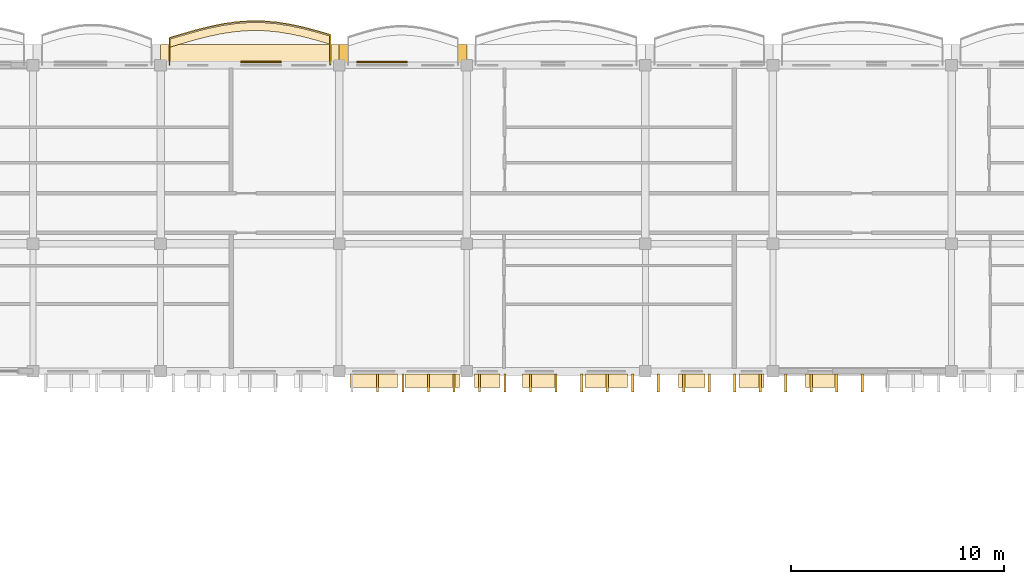
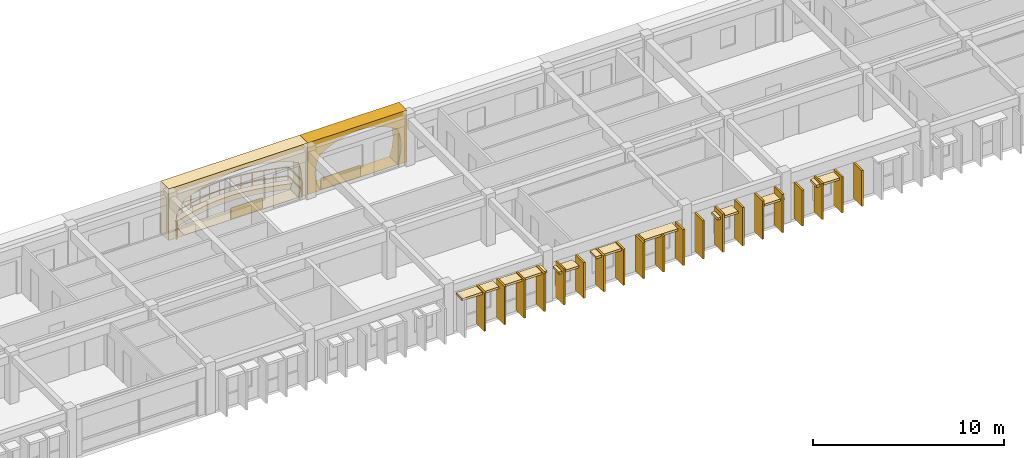
# One storey, part 48 of 54: 33 coverings, 1 railing.
"""IFC4 building model written with IfcOpenShell, lengths in metres."""

from ifc_helpers import new_model, si_unit, direction, frame, origin, origin_2d, place, context, subcontext, project, spatial, polyline, rectangle, outline, extrude, material, layer, layer_set, type_object, element, save


model = new_model("IFC4")

# Units and contexts
model_context = context("Model", 3, precision=1e-05, world=origin(), true_north=direction((0.0, 1.0)))
body_context = subcontext(model_context, "Body", "Model", "MODEL_VIEW")
ifc_project = project(units=[si_unit("LENGTHUNIT", "METRE"), si_unit("AREAUNIT", "SQUARE_METRE"), si_unit("VOLUMEUNIT", "CUBIC_METRE"), si_unit("PLANEANGLEUNIT", "RADIAN"), si_unit("MASSUNIT", "GRAM", prefix="KILO"), si_unit("THERMODYNAMICTEMPERATUREUNIT", "KELVIN")], contexts=[model_context])

# Site, building, storey
site_placement = place(None, origin())
site = spatial("IfcSite", under=ifc_project, at=site_placement, CompositionType="ELEMENT")
building_placement = place(site_placement, origin())
building = spatial("IfcBuilding", under=site, at=building_placement, Name="Thalorik Housing Commons", CompositionType="ELEMENT")
storey_placement = place(building_placement, frame((0.0, 0.0, 31.199951171875)))
storey = spatial("IfcBuildingStorey", under=building, at=storey_placement, Name="L09", CompositionType="ELEMENT", Elevation=31.199951171875)

# Coverings
ifc_material_1 = material(Name="Precast concrete C40/50", Category="concrete")
ifc_layer_1 = layer(ifc_material_1, 0.85009765625, Name="Precast concrete C40/50", Category="concrete")
ifc_layer_set_1 = layer_set([ifc_layer_1], Name="Precast concrete C40/50")
covering_type_1 = type_object("IfcCoveringType", Name="ARC-CLD-CUSH-850", PredefinedType="CLADDING", material=ifc_layer_set_1)
covering_1_placement = place(storey_placement, frame((112.199951171875, 124.142578125, 0.0), z_axis=(0.0, 0.0, 1.0), x_axis=(-1.0, 0.0, 0.0)))
element("IfcCovering", 1, at=covering_1_placement, inside=storey, type_object=covering_type_1, Name="L09 White Precast Curved Cushion Bay Frame 2902", PredefinedType="CLADDING", context=body_context, shape_type="SweptSolid", body=[
    extrude(outline(polyline([(-3.0, 0.0), (3.0, 0.0), (3.0, 3.300048828125), (-3.0, 3.300048828125), (-3.0, 0.0)]), holes=[polyline([(2.22998046875, 0.02490234375), (2.40771484375, 0.404296875), (2.514404296875, 0.783203125), (2.550048828125, 1.16259765625), (2.514404296875, 1.541748046875), (2.40771484375, 1.9208984375), (2.22998046875, 2.300048828125), (1.841796875, 2.525390625), (1.453369140625, 2.7021484375), (1.06494140625, 2.845458984375), (0.6767578125, 2.951904296875), (0.288330078125, 3.017822265625), (-0.10009765625, 3.0400390625), (-0.48828125, 3.017822265625), (-0.876708984375, 2.951904296875), (-1.264892578125, 2.845458984375), (-1.6533203125, 2.7021484375), (-2.041748046875, 2.525390625), (-2.429931640625, 2.300048828125), (-2.55029296875, 1.9208984375), (-2.62255859375, 1.541748046875), (-2.646484375, 1.16259765625), (-2.62255859375, 0.783203125), (-2.55029296875, 0.404296875), (-2.429931640625, 0.02490234375), (2.22998046875, 0.02490234375)])]), frame((0.0, 0.425048828125, 0.0), z_axis=(0.0, -1.0, 0.0), x_axis=(1.0, 0.0, 0.0)), (0.0, 0.0, 1.0), 0.85009765625),
])
covering_2_placement = place(storey_placement, frame((105.0, 124.142578125, 0.0), z_axis=(0.0, 0.0, 1.0), x_axis=(-1.0, 0.0, 0.0)))
element("IfcCovering", 2, at=covering_2_placement, inside=storey, type_object=covering_type_1, Name="L09 White Precast Curved Cushion Bay Frame 2904", PredefinedType="CLADDING", context=body_context, shape_type="SweptSolid", body=[
    extrude(outline(polyline([(-4.199951171875, 0.0), (4.199951171875, 0.0), (4.199951171875, 3.300048828125), (-4.199951171875, 3.300048828125), (-4.199951171875, 0.0)]), holes=[polyline([(3.239990234375, 0.02490234375), (3.523193359375, 0.3974609375), (3.693359375, 0.77001953125), (3.75, 1.142578125), (3.693359375, 1.514892578125), (3.523193359375, 1.887451171875), (3.239990234375, 2.260009765625), (2.66748046875, 2.497314453125), (2.094970703125, 2.683837890625), (1.5224609375, 2.8349609375), (0.949951171875, 2.947265625), (0.37744140625, 3.0166015625), (-0.195068359375, 3.0400390625), (-0.767578125, 3.0166015625), (-1.340087890625, 2.947265625), (-1.91259765625, 2.8349609375), (-2.485107421875, 2.683837890625), (-3.0576171875, 2.497314453125), (-3.6298828125, 2.260009765625), (-3.750244140625, 1.887451171875), (-3.822509765625, 1.514892578125), (-3.8466796875, 1.142578125), (-3.822509765625, 0.77001953125), (-3.750244140625, 0.3974609375), (-3.6298828125, 0.02490234375), (3.239990234375, 0.02490234375)])]), frame((0.0, 0.425048828125, 0.0), z_axis=(0.0, -1.0, 0.0), x_axis=(1.0, 0.0, 0.0)), (0.0, 0.0, 1.0), 0.85009765625),
])
ifc_layer_2 = layer(ifc_material_1, 0.85009765625, Name="Precast concrete C40/50", Category="concrete")
ifc_layer_set_2 = layer_set([ifc_layer_2], Name="Precast concrete C40/50")
covering_type_2 = type_object("IfcCoveringType", Name="ARC-CLD-FIN-850", PredefinedType="CLADDING", material=ifc_layer_set_2)
for number, where, z_axis, x_axis, name in (
    (3, (111.0, 108.657470703125, 0.0400390625), (0.0, 0.0, 1.0), (1.0, 0.0, 0.0), "L09 Courtyard Precast Vertical Brise-Soleil Fin 2947"),
    (4, (112.199951171875, 108.657470703125, 0.0400390625), (0.0, 0.0, 1.0), (1.0, 0.0, 0.0), "L09 Courtyard Precast Vertical Brise-Soleil Fin 2948"),
    (5, (113.39990234375, 108.657470703125, 0.0400390625), (0.0, 0.0, 1.0), (1.0, 0.0, 0.0), "L09 Courtyard Precast Vertical Brise-Soleil Fin 2949"),
    (6, (114.60009765625, 108.657470703125, 0.0400390625), (0.0, 0.0, 1.0), (1.0, 0.0, 0.0), "L09 Courtyard Precast Vertical Brise-Soleil Fin 2950"),
):
    element("IfcCovering", number, at=place(storey_placement, frame(where, z_axis=z_axis, x_axis=x_axis)), inside=storey, type_object=covering_type_2, Name=name, PredefinedType="CLADDING", context=body_context, shape_type="SweptSolid", body=[
        extrude(rectangle(XDim=0.110107421875, YDim=0.85009765625, at=origin_2d()), origin(), (0.0, 0.0, 1.0), 2.445068359375),
    ])
for number, where, z_axis, x_axis, name in (
    (7, (115.800048828125, 108.657470703125, 0.0400390625), (0.0, 0.0, 1.0), (1.0, 0.0, 0.0), "L09 Courtyard Precast Vertical Brise-Soleil Fin 2953"),
    (8, (117.0, 108.657470703125, 0.0400390625), (0.0, 0.0, 1.0), (1.0, 0.0, 0.0), "L09 Courtyard Precast Vertical Brise-Soleil Fin 2954"),
    (9, (118.199951171875, 108.657470703125, 0.0400390625), (0.0, 0.0, 1.0), (1.0, 0.0, 0.0), "L09 Courtyard Precast Vertical Brise-Soleil Fin 2955"),
    (10, (119.39990234375, 108.657470703125, 0.0400390625), (0.0, 0.0, 1.0), (1.0, 0.0, 0.0), "L09 Courtyard Precast Vertical Brise-Soleil Fin 2956"),
    (11, (120.60009765625, 108.657470703125, 0.0400390625), (0.0, 0.0, 1.0), (1.0, 0.0, 0.0), "L09 Courtyard Precast Vertical Brise-Soleil Fin 2957"),
    (12, (121.800048828125, 108.657470703125, 0.0400390625), (0.0, 0.0, 1.0), (1.0, 0.0, 0.0), "L09 Courtyard Precast Vertical Brise-Soleil Fin 2958"),
    (13, (123.0, 108.657470703125, 0.0400390625), (0.0, 0.0, 1.0), (1.0, 0.0, 0.0), "L09 Courtyard Precast Vertical Brise-Soleil Fin 2959"),
):
    element("IfcCovering", number, at=place(storey_placement, frame(where, z_axis=z_axis, x_axis=x_axis)), inside=storey, type_object=covering_type_2, Name=name, PredefinedType="CLADDING", context=body_context, shape_type="SweptSolid", body=[
        extrude(rectangle(XDim=0.110107421875, YDim=0.85009765625, at=origin_2d()), origin(), (0.0, 0.0, 1.0), 2.294921875),
    ])
for number, where, z_axis, x_axis, name in (
    (14, (124.199951171875, 108.657470703125, 0.0400390625), (0.0, 0.0, 1.0), (1.0, 0.0, 0.0), "L09 Courtyard Precast Vertical Brise-Soleil Fin 2963"),
    (15, (125.39990234375, 108.657470703125, 0.0400390625), (0.0, 0.0, 1.0), (1.0, 0.0, 0.0), "L09 Courtyard Precast Vertical Brise-Soleil Fin 2964"),
    (16, (126.60009765625, 108.657470703125, 0.0400390625), (0.0, 0.0, 1.0), (1.0, 0.0, 0.0), "L09 Courtyard Precast Vertical Brise-Soleil Fin 2965"),
    (17, (127.800048828125, 108.657470703125, 0.0400390625), (0.0, 0.0, 1.0), (1.0, 0.0, 0.0), "L09 Courtyard Precast Vertical Brise-Soleil Fin 2966"),
    (18, (129.0, 108.657470703125, 0.0400390625), (0.0, 0.0, 1.0), (1.0, 0.0, 0.0), "L09 Courtyard Precast Vertical Brise-Soleil Fin 2967"),
):
    element("IfcCovering", number, at=place(storey_placement, frame(where, z_axis=z_axis, x_axis=x_axis)), inside=storey, type_object=covering_type_2, Name=name, PredefinedType="CLADDING", context=body_context, shape_type="SweptSolid", body=[
        extrude(rectangle(XDim=0.110107421875, YDim=0.85009765625, at=origin_2d()), origin(), (0.0, 0.0, 1.0), 2.445068359375),
    ])
for number, where, z_axis, x_axis, name in (
    (19, (130.199951171875, 108.657470703125, 0.0400390625), (0.0, 0.0, 1.0), (1.0, 0.0, 0.0), "L09 Courtyard Precast Vertical Brise-Soleil Fin 2970"),
    (20, (131.39990234375, 108.657470703125, 0.0400390625), (0.0, 0.0, 1.0), (1.0, 0.0, 0.0), "L09 Courtyard Precast Vertical Brise-Soleil Fin 2971"),
    (21, (132.60009765625, 108.657470703125, 0.0400390625), (0.0, 0.0, 1.0), (1.0, 0.0, 0.0), "L09 Courtyard Precast Vertical Brise-Soleil Fin 2972"),
    (22, (133.800048828125, 108.657470703125, 0.0400390625), (0.0, 0.0, 1.0), (1.0, 0.0, 0.0), "L09 Courtyard Precast Vertical Brise-Soleil Fin 2973"),
):
    element("IfcCovering", number, at=place(storey_placement, frame(where, z_axis=z_axis, x_axis=x_axis)), inside=storey, type_object=covering_type_2, Name=name, PredefinedType="CLADDING", context=body_context, shape_type="SweptSolid", body=[
        extrude(rectangle(XDim=0.110107421875, YDim=0.85009765625, at=origin_2d()), origin(), (0.0, 0.0, 1.0), 2.294921875),
    ])
ifc_layer_3 = layer(ifc_material_1, 0.64990234375, Name="Precast concrete C40/50", Category="concrete")
ifc_layer_set_3 = layer_set([ifc_layer_3], Name="Precast concrete C40/50")
covering_type_3 = type_object("IfcCoveringType", Name="ARC-CLD-HOOD-650", PredefinedType="CLADDING", material=ifc_layer_set_3)
covering_3_placement = place(storey_placement, frame((110.830078125, 108.757568359375, 2.2900390625), z_axis=(0.0, 0.0, 1.0), x_axis=(1.0, 0.0, 0.0)))
element("IfcCovering", 23, at=covering_3_placement, inside=storey, type_object=covering_type_3, Name="L09 Courtyard Precast Window Sun-Hood 2951", PredefinedType="CLADDING", context=body_context, shape_type="SweptSolid", body=[
    extrude(rectangle(XDim=2.219970703125, YDim=0.64990234375, at=origin_2d()), origin(), (0.0, 0.0, 1.0), 0.139892578125),
])
covering_4_placement = place(storey_placement, frame((113.570068359375, 108.757568359375, 2.2900390625), z_axis=(0.0, 0.0, 1.0), x_axis=(1.0, 0.0, 0.0)))
element("IfcCovering", 24, at=covering_4_placement, inside=storey, type_object=covering_type_3, Name="L09 Courtyard Precast Window Sun-Hood 2952", PredefinedType="CLADDING", context=body_context, shape_type="SweptSolid", body=[
    extrude(rectangle(XDim=2.56005859375, YDim=0.64990234375, at=origin_2d()), origin(), (0.0, 0.0, 1.0), 0.139892578125),
])
covering_5_placement = place(storey_placement, frame((116.169921875, 108.757568359375, 1.93994140625), z_axis=(0.0, 0.0, 1.0), x_axis=(1.0, 0.0, 0.0)))
element("IfcCovering", 25, at=covering_5_placement, inside=storey, type_object=covering_type_3, Name="L09 Courtyard Precast Window Sun-Hood 2960", PredefinedType="CLADDING", context=body_context, shape_type="SweptSolid", body=[
    extrude(rectangle(XDim=1.18994140625, YDim=0.64990234375, at=origin_2d()), origin(), (0.0, 0.0, 1.0), 0.139892578125),
])
covering_6_placement = place(storey_placement, frame((118.60009765625, 108.757568359375, 2.14013671875), z_axis=(0.0, 0.0, 1.0), x_axis=(1.0, 0.0, 0.0)))
element("IfcCovering", 26, at=covering_6_placement, inside=storey, type_object=covering_type_3, Name="L09 Courtyard Precast Window Sun-Hood 2961", PredefinedType="CLADDING", context=body_context, shape_type="SweptSolid", body=[
    extrude(rectangle(XDim=1.56005859375, YDim=0.64990234375, at=origin_2d()), origin(), (0.0, 0.0, 1.0), 0.139892578125),
])
covering_7_placement = place(storey_placement, frame((121.760009765625, 108.757568359375, 2.2099609375), z_axis=(0.0, 0.0, 1.0), x_axis=(1.0, 0.0, 0.0)))
element("IfcCovering", 27, at=covering_7_placement, inside=storey, type_object=covering_type_3, Name="L09 Courtyard Precast Window Sun-Hood 2962", PredefinedType="CLADDING", context=body_context, shape_type="SweptSolid", body=[
    extrude(rectangle(XDim=2.02001953125, YDim=0.64990234375, at=origin_2d()), origin(), (0.0, 0.0, 1.0), 0.139892578125),
])
covering_8_placement = place(storey_placement, frame((125.784912109375, 108.757568359375, 2.0400390625), z_axis=(0.0, 0.0, 1.0), x_axis=(1.0, 0.0, 0.0)))
element("IfcCovering", 28, at=covering_8_placement, inside=storey, type_object=covering_type_3, Name="L09 Courtyard Precast Window Sun-Hood 2968", PredefinedType="CLADDING", context=body_context, shape_type="SweptSolid", body=[
    extrude(rectangle(XDim=1.239990234375, YDim=0.64990234375, at=origin_2d()), origin(), (0.0, 0.0, 1.0), 0.139892578125),
])
covering_9_placement = place(storey_placement, frame((128.594970703125, 108.757568359375, 1.93994140625), z_axis=(0.0, 0.0, 1.0), x_axis=(1.0, 0.0, 0.0)))
element("IfcCovering", 29, at=covering_9_placement, inside=storey, type_object=covering_type_3, Name="L09 Courtyard Precast Window Sun-Hood 2969", PredefinedType="CLADDING", context=body_context, shape_type="SweptSolid", body=[
    extrude(rectangle(XDim=1.18994140625, YDim=0.64990234375, at=origin_2d()), origin(), (0.0, 0.0, 1.0), 0.139892578125),
])
covering_10_placement = place(storey_placement, frame((131.830078125, 108.757568359375, 2.0400390625), z_axis=(0.0, 0.0, 1.0), x_axis=(1.0, 0.0, 0.0)))
element("IfcCovering", 30, at=covering_10_placement, inside=storey, type_object=covering_type_3, Name="L09 Courtyard Precast Window Sun-Hood 2977", PredefinedType="CLADDING", context=body_context, shape_type="SweptSolid", body=[
    extrude(rectangle(XDim=1.389892578125, YDim=0.64990234375, at=origin_2d()), origin(), (0.0, 0.0, 1.0), 0.139892578125),
])
ifc_material_2 = material(Name="Terracotta red mineral fibre-cement panel", Category="masonry")
ifc_layer_4 = layer(ifc_material_2, 0.054931640625, Name="Terracotta red mineral fibre-cement panel", Category="masonry")
ifc_layer_set_4 = layer_set([ifc_layer_4], Name="Terracotta red mineral fibre-cement panel")
covering_type_4 = type_object("IfcCoveringType", Name="ARC-CLD-RED-55", PredefinedType="CLADDING", material=ifc_layer_set_4)
covering_11_placement = place(storey_placement, frame((105.52490234375, 123.75, 0.05029296875), z_axis=(0.0, 0.0, 1.0), x_axis=(-1.0, 0.0, 0.0)))
element("IfcCovering", 31, at=covering_11_placement, inside=storey, type_object=covering_type_4, Name="L09 De Stijl Recessed Window Spandrel 2905", PredefinedType="CLADDING", context=body_context, shape_type="SweptSolid", body=[
    extrude(rectangle(XDim=1.919921875, YDim=0.054931640625, at=origin_2d()), origin(), (0.0, 0.0, 1.0), 0.699951171875),
])
ifc_material_3 = material(Name="Mineral ochre architectural terracotta panel", Category="masonry")
ifc_layer_5 = layer(ifc_material_3, 0.06494140625, Name="Mineral ochre architectural terracotta panel", Category="masonry")
ifc_layer_set_5 = layer_set([ifc_layer_5], Name="Mineral ochre architectural terracotta panel")
covering_type_5 = type_object("IfcCoveringType", Name="ARC-CLD-YEL-65", PredefinedType="CLADDING", material=ifc_layer_set_5)
covering_12_placement = place(storey_placement, frame((111.2099609375, 123.7548828125, 0.05029296875), z_axis=(0.0, 0.0, 1.0), x_axis=(-1.0, 0.0, 0.0)))
element("IfcCovering", 32, at=covering_12_placement, inside=storey, type_object=covering_type_5, Name="L09 De Stijl Recessed Window Spandrel 2903", PredefinedType="CLADDING", context=body_context, shape_type="SweptSolid", body=[
    extrude(rectangle(XDim=2.3798828125, YDim=0.06494140625, at=origin_2d()), origin(), (0.0, 0.0, 1.0), 0.699951171875),
])
ifc_material_4 = material(Name="Planted vegetated substrate and terracotta trough", Category="masonry")
ifc_layer_6 = layer(ifc_material_4, 0.340087890625, Name="Planted vegetated substrate and terracotta trough", Category="masonry")
ifc_layer_set_6 = layer_set([ifc_layer_6], Name="Planted vegetated substrate and terracotta trough")
covering_type_6 = type_object("IfcCoveringType", Name="ARC-COV-PLANTER", PredefinedType="USERDEFINED", material=ifc_layer_set_6)
covering_13_placement = place(storey_placement, origin())
element("IfcCovering", 33, at=covering_13_placement, inside=storey, type_object=covering_type_6, Name="L09 Balcony Slab-Edge Planted Trough 5529", ObjectType="PLANTER", PredefinedType="USERDEFINED", context=body_context, shape_type="SweptSolid", body=[
    extrude(outline(polyline([(108.780029296875, 124.9638671875), (108.14990234375, 125.14697265625), (107.52001953125, 125.3125), (106.889892578125, 125.448974609375), (106.260009765625, 125.54736328125), (105.6298828125, 125.6005859375), (105.0, 125.60546875), (104.3701171875, 125.561279296875), (103.739990234375, 125.4716796875), (103.110107421875, 125.342529296875), (102.47998046875, 125.183349609375), (101.85009765625, 125.0048828125), (101.219970703125, 124.8193359375), (101.219970703125, 124.439453125), (101.85009765625, 124.624755859375), (102.47998046875, 124.80322265625), (103.110107421875, 124.962646484375), (103.739990234375, 125.091796875), (104.3701171875, 125.181396484375), (105.0, 125.225341796875), (105.6298828125, 125.220703125), (106.260009765625, 125.16748046875), (106.889892578125, 125.069091796875), (107.52001953125, 124.932373046875), (108.14990234375, 124.766845703125), (108.780029296875, 124.583740234375), (108.780029296875, 124.9638671875)])), origin(), (0.0, 0.0, 1.0), 0.340087890625),
])

# Railing
ifc_material_5 = material(Name="Steel S355", Category="steel")
railing_type = type_object("IfcRailingType", Name="ARC-RL-BAL-115", PredefinedType="BALUSTRADE", material=ifc_material_5)
railing_placement = place(storey_placement, frame((108.780029296875, 123.60009765625, 0.0)))
element("IfcRailing", 34, at=railing_placement, inside=storey, type_object=railing_type, Name="L09 Cushion Balcony Guardrail 213", PredefinedType="BALUSTRADE", context=body_context, shape_type="SweptSolid", body=[
    extrude(rectangle(XDim=0.050048828125, YDim=0.050048828125, at=origin_2d()), frame((0.0, 0.0, 1.125), z_axis=(0.0, 1.0, 0.0), x_axis=(-1.0, 0.0, 0.0)), (0.0, 0.0, 1.0), 1.43359375),
    extrude(rectangle(XDim=0.050048828125, YDim=0.050048828125, at=origin_2d()), frame((0.0, 0.0, 0.5498046875), z_axis=(0.0, 1.0, 0.0), x_axis=(-1.0, 0.0, 0.0)), (0.0, 0.0, 1.0), 1.43359375),
    extrude(rectangle(XDim=0.050048828125, YDim=0.050048828125, at=origin_2d()), frame((0.0, 1.43359375, 1.125), z_axis=(-0.960278714224, 0.279042632959, 0.0), x_axis=(-0.279042632959, -0.960278714224, 0.0)), (0.0, 0.0, 1.0), 0.65625),
    extrude(rectangle(XDim=0.050048828125, YDim=0.050048828125, at=origin_2d()), frame((0.0, 1.43359375, 0.5498046875), z_axis=(-0.960278714224, 0.279042632959, 0.0), x_axis=(-0.279042632959, -0.960278714224, 0.0)), (0.0, 0.0, 1.0), 0.65625),
    extrude(rectangle(XDim=0.050048828125, YDim=0.050048828125, at=origin_2d()), frame((-0.630126953125, 1.61669921875, 1.125), z_axis=(-0.967161884904, 0.254161146498, 0.0), x_axis=(-0.254161146498, -0.967161884904, 0.0)), (0.0, 0.0, 1.0), 0.6513671875),
    extrude(rectangle(XDim=0.050048828125, YDim=0.050048828125, at=origin_2d()), frame((-0.630126953125, 1.61669921875, 0.5498046875), z_axis=(-0.967161884904, 0.254161146498, 0.0), x_axis=(-0.254161146498, -0.967161884904, 0.0)), (0.0, 0.0, 1.0), 0.6513671875),
    extrude(rectangle(XDim=0.050048828125, YDim=0.050048828125, at=origin_2d()), frame((-1.260009765625, 1.7822265625, 1.125), z_axis=(-0.977261717402, 0.212036637638, 0.0), x_axis=(-0.212036637638, -0.977261717402, 0.0)), (0.0, 0.0, 1.0), 0.644775390625),
    extrude(rectangle(XDim=0.050048828125, YDim=0.050048828125, at=origin_2d()), frame((-1.260009765625, 1.7822265625, 0.5498046875), z_axis=(-0.977261717402, 0.212036637638, 0.0), x_axis=(-0.212036637638, -0.977261717402, 0.0)), (0.0, 0.0, 1.0), 0.644775390625),
    extrude(rectangle(XDim=0.050048828125, YDim=0.050048828125, at=origin_2d()), frame((-1.89013671875, 1.9189453125, 1.125), z_axis=(-0.988019333947, 0.154330151775, 0.0), x_axis=(-0.154330151775, -0.988019333947, 0.0)), (0.0, 0.0, 1.0), 0.637451171875),
    extrude(rectangle(XDim=0.050048828125, YDim=0.050048828125, at=origin_2d()), frame((-1.89013671875, 1.9189453125, 0.5498046875), z_axis=(-0.988019333947, 0.154330151775, 0.0), x_axis=(-0.154330151775, -0.988019333947, 0.0)), (0.0, 0.0, 1.0), 0.637451171875),
    extrude(rectangle(XDim=0.050048828125, YDim=0.050048828125, at=origin_2d()), frame((-2.52001953125, 2.017333984375, 1.125), z_axis=(-0.996451941002, 0.084163705207, 0.0), x_axis=(-0.084163705207, -0.996451941002, 0.0)), (0.0, 0.0, 1.0), 0.63232421875),
    extrude(rectangle(XDim=0.050048828125, YDim=0.050048828125, at=origin_2d()), frame((-2.52001953125, 2.017333984375, 0.5498046875), z_axis=(-0.996451941002, 0.084163705207, 0.0), x_axis=(-0.084163705207, -0.996451941002, 0.0)), (0.0, 0.0, 1.0), 0.63232421875),
    extrude(rectangle(XDim=0.050048828125, YDim=0.050048828125, at=origin_2d()), frame((-3.150146484375, 2.070556640625, 1.125), z_axis=(-0.999972884343, 0.007364141396, 0.0), x_axis=(-0.007364141396, -0.999972884343, 0.0)), (0.0, 0.0, 1.0), 0.6298828125),
    extrude(rectangle(XDim=0.050048828125, YDim=0.050048828125, at=origin_2d()), frame((-3.150146484375, 2.070556640625, 0.5498046875), z_axis=(-0.999972884343, 0.007364141396, 0.0), x_axis=(-0.007364141396, -0.999972884343, 0.0)), (0.0, 0.0, 1.0), 0.6298828125),
    extrude(rectangle(XDim=0.050048828125, YDim=0.050048828125, at=origin_2d()), frame((-3.780029296875, 2.0751953125, 1.125), z_axis=(-0.997575100836, -0.069598262849, 0.0), x_axis=(0.069598262849, -0.997575100836, 0.0)), (0.0, 0.0, 1.0), 0.63134765625),
    extrude(rectangle(XDim=0.050048828125, YDim=0.050048828125, at=origin_2d()), frame((-3.780029296875, 2.0751953125, 0.5498046875), z_axis=(-0.997575100836, -0.069598262849, 0.0), x_axis=(0.069598262849, -0.997575100836, 0.0)), (0.0, 0.0, 1.0), 0.63134765625),
    extrude(rectangle(XDim=0.050048828125, YDim=0.050048828125, at=origin_2d()), frame((-4.409912109375, 2.03125, 1.125), z_axis=(-0.990041345096, -0.140776897966, 0.0), x_axis=(0.140776897966, -0.990041345096, 0.0)), (0.0, 0.0, 1.0), 0.636474609375),
    extrude(rectangle(XDim=0.050048828125, YDim=0.050048828125, at=origin_2d()), frame((-4.409912109375, 2.03125, 0.5498046875), z_axis=(-0.990041345096, -0.140776897966, 0.0), x_axis=(0.140776897966, -0.990041345096, 0.0)), (0.0, 0.0, 1.0), 0.636474609375),
    extrude(rectangle(XDim=0.050048828125, YDim=0.050048828125, at=origin_2d()), frame((-5.0400390625, 1.941650390625, 1.125), z_axis=(-0.979619945128, -0.200860058517, 0.0), x_axis=(0.200860058517, -0.979619945128, 0.0)), (0.0, 0.0, 1.0), 0.64306640625),
    extrude(rectangle(XDim=0.050048828125, YDim=0.050048828125, at=origin_2d()), frame((-5.0400390625, 1.941650390625, 0.5498046875), z_axis=(-0.979619945128, -0.200860058517, 0.0), x_axis=(0.200860058517, -0.979619945128, 0.0)), (0.0, 0.0, 1.0), 0.64306640625),
    extrude(rectangle(XDim=0.050048828125, YDim=0.050048828125, at=origin_2d()), frame((-5.669921875, 1.8125, 1.125), z_axis=(-0.969542950291, -0.244921349705, 0.0), x_axis=(0.244921349705, -0.969542950291, 0.0)), (0.0, 0.0, 1.0), 0.64990234375),
    extrude(rectangle(XDim=0.050048828125, YDim=0.050048828125, at=origin_2d()), frame((-5.669921875, 1.8125, 0.5498046875), z_axis=(-0.969542950291, -0.244921349705, 0.0), x_axis=(0.244921349705, -0.969542950291, 0.0)), (0.0, 0.0, 1.0), 0.64990234375),
    extrude(rectangle(XDim=0.050048828125, YDim=0.050048828125, at=origin_2d()), frame((-6.300048828125, 1.6533203125, 1.125), z_axis=(-0.962028866252, -0.272947724844, 0.0), x_axis=(0.272947724844, -0.962028866252, 0.0)), (0.0, 0.0, 1.0), 0.65478515625),
    extrude(rectangle(XDim=0.050048828125, YDim=0.050048828125, at=origin_2d()), frame((-6.300048828125, 1.6533203125, 0.5498046875), z_axis=(-0.962028866252, -0.272947724844, 0.0), x_axis=(0.272947724844, -0.962028866252, 0.0)), (0.0, 0.0, 1.0), 0.65478515625),
    extrude(rectangle(XDim=0.050048828125, YDim=0.050048828125, at=origin_2d()), frame((-6.929931640625, 1.474609375, 1.125), z_axis=(-0.959377338549, -0.282126075149, 0.0), x_axis=(0.282126075149, -0.959377338549, 0.0)), (0.0, 0.0, 1.0), 0.65673828125),
    extrude(rectangle(XDim=0.050048828125, YDim=0.050048828125, at=origin_2d()), frame((-6.929931640625, 1.474609375, 0.5498046875), z_axis=(-0.959377338549, -0.282126075149, 0.0), x_axis=(0.282126075149, -0.959377338549, 0.0)), (0.0, 0.0, 1.0), 0.65673828125),
    extrude(rectangle(XDim=0.050048828125, YDim=0.050048828125, at=origin_2d()), frame((-7.56005859375, 1.289306640625, 1.125), z_axis=(0.0, -1.0, 0.0), x_axis=(1.0, 0.0, 0.0)), (0.0, 0.0, 1.0), 1.289306640625),
    extrude(rectangle(XDim=0.050048828125, YDim=0.050048828125, at=origin_2d()), frame((-7.56005859375, 1.289306640625, 0.5498046875), z_axis=(0.0, -1.0, 0.0), x_axis=(1.0, 0.0, 0.0)), (0.0, 0.0, 1.0), 1.289306640625),
    extrude(rectangle(XDim=0.0419921875, YDim=0.0419921875, at=origin_2d()), origin(), (0.0, 0.0, 1.0), 1.099853515625),
    extrude(rectangle(XDim=0.0419921875, YDim=0.0419921875, at=origin_2d()), frame((0.0, 1.43359375, 0.0)), (0.0, 0.0, 1.0), 1.099853515625),
    extrude(rectangle(XDim=0.0419921875, YDim=0.0419921875, at=origin_2d()), frame((-0.630126953125, 1.61669921875, 0.0)), (0.0, 0.0, 1.0), 1.099853515625),
    extrude(rectangle(XDim=0.0419921875, YDim=0.0419921875, at=origin_2d()), frame((-1.260009765625, 1.7822265625, 0.0)), (0.0, 0.0, 1.0), 1.099853515625),
    extrude(rectangle(XDim=0.0419921875, YDim=0.0419921875, at=origin_2d()), frame((-1.89013671875, 1.9189453125, 0.0)), (0.0, 0.0, 1.0), 1.099853515625),
    extrude(rectangle(XDim=0.0419921875, YDim=0.0419921875, at=origin_2d()), frame((-2.52001953125, 2.017333984375, 0.0)), (0.0, 0.0, 1.0), 1.099853515625),
    extrude(rectangle(XDim=0.0419921875, YDim=0.0419921875, at=origin_2d()), frame((-3.150146484375, 2.070556640625, 0.0)), (0.0, 0.0, 1.0), 1.099853515625),
    extrude(rectangle(XDim=0.0419921875, YDim=0.0419921875, at=origin_2d()), frame((-3.780029296875, 2.0751953125, 0.0)), (0.0, 0.0, 1.0), 1.099853515625),
    extrude(rectangle(XDim=0.0419921875, YDim=0.0419921875, at=origin_2d()), frame((-4.409912109375, 2.03125, 0.0)), (0.0, 0.0, 1.0), 1.099853515625),
    extrude(rectangle(XDim=0.0419921875, YDim=0.0419921875, at=origin_2d()), frame((-5.0400390625, 1.941650390625, 0.0)), (0.0, 0.0, 1.0), 1.099853515625),
    extrude(rectangle(XDim=0.0419921875, YDim=0.0419921875, at=origin_2d()), frame((-5.669921875, 1.8125, 0.0)), (0.0, 0.0, 1.0), 1.099853515625),
    extrude(rectangle(XDim=0.0419921875, YDim=0.0419921875, at=origin_2d()), frame((-6.300048828125, 1.6533203125, 0.0)), (0.0, 0.0, 1.0), 1.099853515625),
    extrude(rectangle(XDim=0.0419921875, YDim=0.0419921875, at=origin_2d()), frame((-6.929931640625, 1.474609375, 0.0)), (0.0, 0.0, 1.0), 1.099853515625),
    extrude(rectangle(XDim=0.0419921875, YDim=0.0419921875, at=origin_2d()), frame((-7.56005859375, 1.289306640625, 0.0)), (0.0, 0.0, 1.0), 1.099853515625),
    extrude(rectangle(XDim=0.0419921875, YDim=0.0419921875, at=origin_2d()), frame((-7.56005859375, 0.0, 0.0)), (0.0, 0.0, 1.0), 1.099853515625),
])

save(model, "model.ifc")
